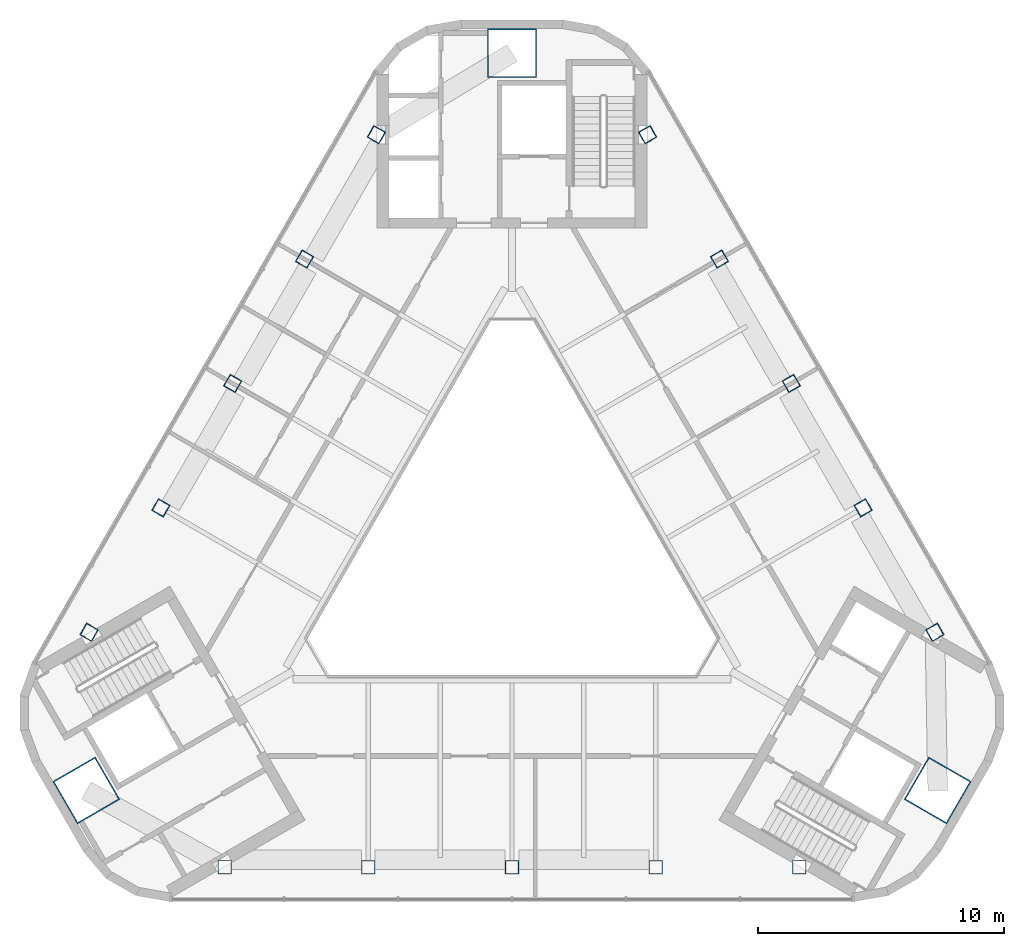
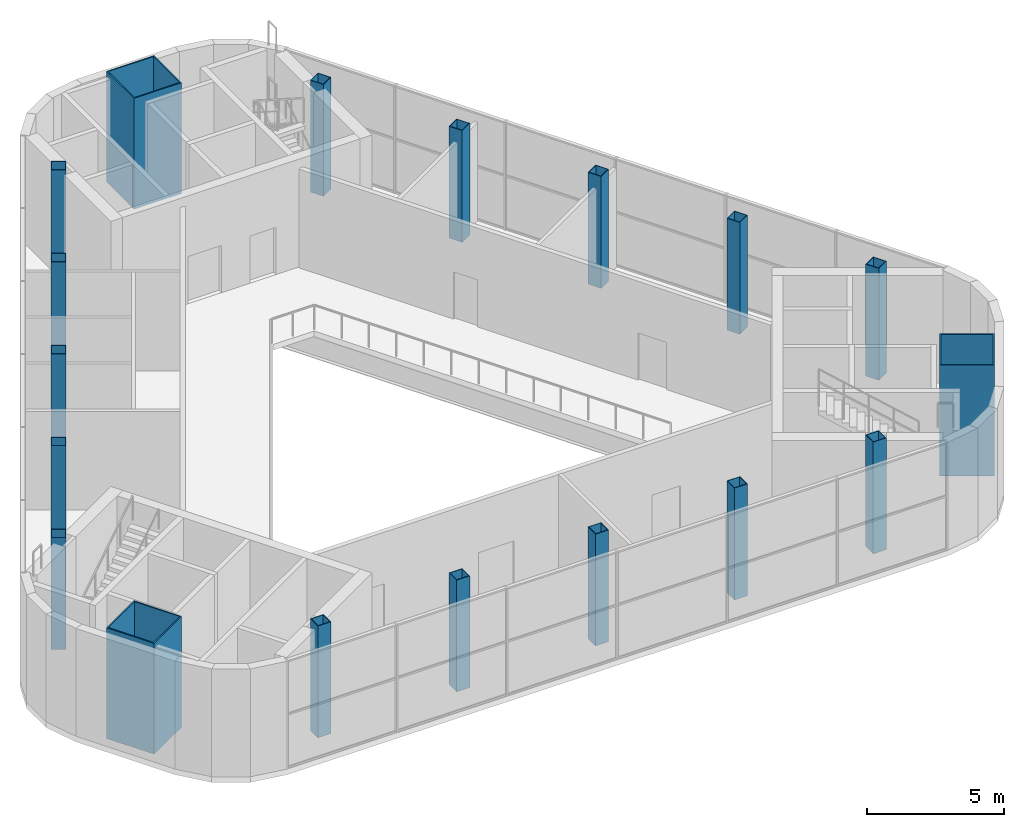
# One storey, part 1 of 11: 18 columns.
"""IFC4 building model written with IfcOpenShell, lengths in metres."""

from ifc_helpers import new_model, si_unit, direction, frame, origin, origin_2d, place, context, subcontext, project, spatial, rectangle, hollow_rectangle, extrude, boolean, halfspace, material, material_profile, profile_set, type_object, element, save


model = new_model("IFC4")

# Units and contexts
model_context = context("Model", 3, precision=1e-05, world=origin(), true_north=direction((0.0, 1.0)))
body_context = subcontext(model_context, "Body", "Model", "MODEL_VIEW")
ifc_project = project(units=[si_unit("LENGTHUNIT", "METRE"), si_unit("AREAUNIT", "SQUARE_METRE"), si_unit("VOLUMEUNIT", "CUBIC_METRE"), si_unit("PLANEANGLEUNIT", "RADIAN"), si_unit("MASSUNIT", "GRAM", prefix="KILO")], contexts=[model_context])

# Site, building, storey
site_placement = place(None, origin())
site = spatial("IfcSite", under=ifc_project, at=site_placement, CompositionType="ELEMENT")
building_placement = place(site_placement, origin())
building = spatial("IfcBuilding", under=site, at=building_placement, Name="Apuvela Tower Hotel", CompositionType="ELEMENT")
storey_placement = place(building_placement, frame((0.0, 0.0, 338.300048828125)))
storey = spatial("IfcBuildingStorey", under=building, at=storey_placement, Name="L84", CompositionType="ELEMENT", Elevation=338.300048828125)

# Columns
ifc_material_1 = material(Name="Steel S460", Category="steel")
ifc_material_profile_1 = material_profile(ifc_material_1, hollow_rectangle(XDim=2.0, YDim=2.0, WallThickness=0.050048828125, at=origin_2d()), Name="BOX 2000x2000x50")
ifc_material_2 = material(Name="Concrete C80/95", Category="concrete")
ifc_material_profile_2 = material_profile(ifc_material_2, rectangle(XDim=1.89990234375, YDim=1.89990234375, at=origin_2d()), Name="Concrete C80/95 infill")
ifc_profile_set_1 = profile_set([ifc_material_profile_1, ifc_material_profile_2], Name="Steel S460")
column_type_1 = type_object("IfcColumnType", Name="STR-MC mega column BOX 2000x2000x50", PredefinedType="COLUMN", material=ifc_profile_set_1)
for number, where, z_axis, x_axis, name in (
    (1, (0.0, 20.00634765625, 0.0), (0.0, 0.0, 1.0), (1.0, 0.0, 0.0), "Mega column MC4 N"),
    (2, (-17.326171875, -10.003173828125, 0.0), (0.0, 0.0, 1.0), (-0.5, 0.866025403784, 0.0), "Mega column MC4 SW"),
    (3, (17.326171875, -10.003173828125, 0.0), (0.0, 0.0, 1.0), (0.5, 0.866025403784, 0.0), "Mega column MC4 SE"),
):
    element("IfcColumn", number, at=place(storey_placement, frame(where, z_axis=z_axis, x_axis=x_axis)), inside=storey, type_object=column_type_1, Name=name, PredefinedType="COLUMN", context=body_context, shape_type="SweptSolid", body=[
        boolean("DIFFERENCE", extrude(hollow_rectangle(XDim=2.0, YDim=2.0, WallThickness=0.050048828125, at=origin_2d()), origin(), (0.0, 0.0, 1.0), 5.0), halfspace(frame((0.0, 0.0, 0.06591796875), z_axis=(0.0, 0.0, 1.0), x_axis=(1.0, 0.0, 0.0)), True)),
    ])
ifc_material_profile_3 = material_profile(ifc_material_1, hollow_rectangle(XDim=0.550048828125, YDim=0.550048828125, WallThickness=0.02490234375, at=origin_2d()), Name="BOX 550x550x25")
ifc_material_profile_4 = material_profile(ifc_material_2, rectangle(XDim=0.5, YDim=0.5, at=origin_2d()), Name="Concrete C80/95 infill")
ifc_profile_set_2 = profile_set([ifc_material_profile_3, ifc_material_profile_4], Name="Steel S460")
column_type_2 = type_object("IfcColumnType", Name="STR-PC perimeter column BOX 550x550x25", PredefinedType="COLUMN", material=ifc_profile_set_2)
column_1_placement = place(storey_placement, frame((-11.69189453125, -13.126220703125, 0.0), z_axis=(0.0, 0.0, 1.0), x_axis=(-1.0, 0.0, 0.0)))
element("IfcColumn", 4, at=column_1_placement, inside=storey, type_object=column_type_2, Name="Perimeter column C7 S1", PredefinedType="COLUMN", context=body_context, shape_type="SweptSolid", body=[
    boolean("DIFFERENCE", extrude(hollow_rectangle(XDim=0.550048828125, YDim=0.550048828125, WallThickness=0.02490234375, at=origin_2d()), origin(), (0.0, 0.0, 1.0), 5.0), halfspace(frame((0.0, 0.0, 0.023681640625), z_axis=(0.0, 0.0, 1.0), x_axis=(1.0, 0.0, 0.0)), True)),
])
column_2_placement = place(storey_placement, frame((-5.845947265625, -13.126220703125, 0.0), z_axis=(0.0, 0.0, 1.0), x_axis=(-1.0, 0.0, 0.0)))
element("IfcColumn", 5, at=column_2_placement, inside=storey, type_object=column_type_2, Name="Perimeter column C7 S2", PredefinedType="COLUMN", context=body_context, shape_type="SweptSolid", body=[
    boolean("DIFFERENCE", extrude(hollow_rectangle(XDim=0.550048828125, YDim=0.550048828125, WallThickness=0.02490234375, at=origin_2d()), origin(), (0.0, 0.0, 1.0), 5.0), halfspace(frame((0.0, 0.0, 0.020263671875), z_axis=(0.0, 0.0, 1.0), x_axis=(1.0, 0.0, 0.0)), True)),
])
column_3_placement = place(storey_placement, frame((0.0, -13.126220703125, 0.0), z_axis=(0.0, 0.0, 1.0), x_axis=(-1.0, 0.0, 0.0)))
element("IfcColumn", 6, at=column_3_placement, inside=storey, type_object=column_type_2, Name="Perimeter column C7 S3", PredefinedType="COLUMN", context=body_context, shape_type="SweptSolid", body=[
    boolean("DIFFERENCE", extrude(hollow_rectangle(XDim=0.550048828125, YDim=0.550048828125, WallThickness=0.02490234375, at=origin_2d()), origin(), (0.0, 0.0, 1.0), 5.0), halfspace(frame((0.0, 0.0, 0.018798828125), z_axis=(0.0, 0.0, 1.0), x_axis=(1.0, 0.0, 0.0)), True)),
])
column_4_placement = place(storey_placement, frame((5.845947265625, -13.126220703125, 0.0), z_axis=(0.0, 0.0, 1.0), x_axis=(-1.0, 0.0, 0.0)))
element("IfcColumn", 7, at=column_4_placement, inside=storey, type_object=column_type_2, Name="Perimeter column C7 S4", PredefinedType="COLUMN", context=body_context, shape_type="SweptSolid", body=[
    boolean("DIFFERENCE", extrude(hollow_rectangle(XDim=0.550048828125, YDim=0.550048828125, WallThickness=0.02490234375, at=origin_2d()), origin(), (0.0, 0.0, 1.0), 5.0), halfspace(frame((0.0, 0.0, 0.020263671875), z_axis=(0.0, 0.0, 1.0), x_axis=(1.0, 0.0, 0.0)), True)),
])
for number, where, z_axis, x_axis, name in (
    (8, (11.69189453125, -13.126220703125, 0.0), (0.0, 0.0, 1.0), (-1.0, 0.0, 0.0), "Perimeter column C7 S5"),
    (9, (17.213623046875, -3.5625, 0.0), (0.0, 0.0, 1.0), (-0.5, 0.866025403784, 0.0), "Perimeter column C7 NE1"),
):
    element("IfcColumn", number, at=place(storey_placement, frame(where, z_axis=z_axis, x_axis=x_axis)), inside=storey, type_object=column_type_2, Name=name, PredefinedType="COLUMN", context=body_context, shape_type="SweptSolid", body=[
        boolean("DIFFERENCE", extrude(hollow_rectangle(XDim=0.550048828125, YDim=0.550048828125, WallThickness=0.02490234375, at=origin_2d()), origin(), (0.0, 0.0, 1.0), 5.0), halfspace(frame((0.0, 0.0, 0.023681640625), z_axis=(0.0, 0.0, 1.0), x_axis=(1.0, 0.0, 0.0)), True)),
    ])
column_5_placement = place(storey_placement, frame((14.29052734375, 1.500244140625, 0.0), z_axis=(0.0, 0.0, 1.0), x_axis=(-0.5, 0.866025403784, 0.0)))
element("IfcColumn", 10, at=column_5_placement, inside=storey, type_object=column_type_2, Name="Perimeter column C7 NE2", PredefinedType="COLUMN", context=body_context, shape_type="SweptSolid", body=[
    boolean("DIFFERENCE", extrude(hollow_rectangle(XDim=0.550048828125, YDim=0.550048828125, WallThickness=0.02490234375, at=origin_2d()), origin(), (0.0, 0.0, 1.0), 5.0), halfspace(frame((0.0, 0.0, 0.020263671875), z_axis=(0.0, 0.0, 1.0), x_axis=(1.0, 0.0, 0.0)), True)),
])
column_6_placement = place(storey_placement, frame((11.36767578125, 6.56298828125, 0.0), z_axis=(0.0, 0.0, 1.0), x_axis=(-0.5, 0.866025403784, 0.0)))
element("IfcColumn", 11, at=column_6_placement, inside=storey, type_object=column_type_2, Name="Perimeter column C7 NE3", PredefinedType="COLUMN", context=body_context, shape_type="SweptSolid", body=[
    boolean("DIFFERENCE", extrude(hollow_rectangle(XDim=0.550048828125, YDim=0.550048828125, WallThickness=0.02490234375, at=origin_2d()), origin(), (0.0, 0.0, 1.0), 5.0), halfspace(frame((0.0, 0.0, 0.018798828125), z_axis=(0.0, 0.0, 1.0), x_axis=(1.0, 0.0, 0.0)), True)),
])
column_7_placement = place(storey_placement, frame((8.444580078125, 11.6259765625, 0.0), z_axis=(0.0, 0.0, 1.0), x_axis=(-0.5, 0.866025403784, 0.0)))
element("IfcColumn", 12, at=column_7_placement, inside=storey, type_object=column_type_2, Name="Perimeter column C7 NE4", PredefinedType="COLUMN", context=body_context, shape_type="SweptSolid", body=[
    boolean("DIFFERENCE", extrude(hollow_rectangle(XDim=0.550048828125, YDim=0.550048828125, WallThickness=0.02490234375, at=origin_2d()), origin(), (0.0, 0.0, 1.0), 5.0), halfspace(frame((0.0, 0.0, 0.020263671875), z_axis=(0.0, 0.0, 1.0), x_axis=(1.0, 0.0, 0.0)), True)),
])
for number, where, z_axis, x_axis, name in (
    (13, (5.521484375, 16.688720703125, 0.0), (0.0, 0.0, 1.0), (-0.5, 0.866025403784, 0.0), "Perimeter column C7 NE5"),
    (14, (-5.521484375, 16.688720703125, 0.0), (0.0, 0.0, 1.0), (0.5, 0.866025403784, 0.0), "Perimeter column C7 NW1"),
):
    element("IfcColumn", number, at=place(storey_placement, frame(where, z_axis=z_axis, x_axis=x_axis)), inside=storey, type_object=column_type_2, Name=name, PredefinedType="COLUMN", context=body_context, shape_type="SweptSolid", body=[
        boolean("DIFFERENCE", extrude(hollow_rectangle(XDim=0.550048828125, YDim=0.550048828125, WallThickness=0.02490234375, at=origin_2d()), origin(), (0.0, 0.0, 1.0), 5.0), halfspace(frame((0.0, 0.0, 0.023681640625), z_axis=(0.0, 0.0, 1.0), x_axis=(1.0, 0.0, 0.0)), True)),
    ])
column_8_placement = place(storey_placement, frame((-8.444580078125, 11.6259765625, 0.0), z_axis=(0.0, 0.0, 1.0), x_axis=(0.5, 0.866025403784, 0.0)))
element("IfcColumn", 15, at=column_8_placement, inside=storey, type_object=column_type_2, Name="Perimeter column C7 NW2", PredefinedType="COLUMN", context=body_context, shape_type="SweptSolid", body=[
    boolean("DIFFERENCE", extrude(hollow_rectangle(XDim=0.550048828125, YDim=0.550048828125, WallThickness=0.02490234375, at=origin_2d()), origin(), (0.0, 0.0, 1.0), 5.0), halfspace(frame((0.0, 0.0, 0.020263671875), z_axis=(0.0, 0.0, 1.0), x_axis=(1.0, 0.0, 0.0)), True)),
])
column_9_placement = place(storey_placement, frame((-11.36767578125, 6.56298828125, 0.0), z_axis=(0.0, 0.0, 1.0), x_axis=(0.5, 0.866025403784, 0.0)))
element("IfcColumn", 16, at=column_9_placement, inside=storey, type_object=column_type_2, Name="Perimeter column C7 NW3", PredefinedType="COLUMN", context=body_context, shape_type="SweptSolid", body=[
    boolean("DIFFERENCE", extrude(hollow_rectangle(XDim=0.550048828125, YDim=0.550048828125, WallThickness=0.02490234375, at=origin_2d()), origin(), (0.0, 0.0, 1.0), 5.0), halfspace(frame((0.0, 0.0, 0.018798828125), z_axis=(0.0, 0.0, 1.0), x_axis=(1.0, 0.0, 0.0)), True)),
])
column_10_placement = place(storey_placement, frame((-14.29052734375, 1.500244140625, 0.0), z_axis=(0.0, 0.0, 1.0), x_axis=(0.5, 0.866025403784, 0.0)))
element("IfcColumn", 17, at=column_10_placement, inside=storey, type_object=column_type_2, Name="Perimeter column C7 NW4", PredefinedType="COLUMN", context=body_context, shape_type="SweptSolid", body=[
    boolean("DIFFERENCE", extrude(hollow_rectangle(XDim=0.550048828125, YDim=0.550048828125, WallThickness=0.02490234375, at=origin_2d()), origin(), (0.0, 0.0, 1.0), 5.0), halfspace(frame((0.0, 0.0, 0.020263671875), z_axis=(0.0, 0.0, 1.0), x_axis=(1.0, 0.0, 0.0)), True)),
])
column_11_placement = place(storey_placement, frame((-17.213623046875, -3.5625, 0.0), z_axis=(0.0, 0.0, 1.0), x_axis=(0.5, 0.866025403784, 0.0)))
element("IfcColumn", 18, at=column_11_placement, inside=storey, type_object=column_type_2, Name="Perimeter column C7 NW5", PredefinedType="COLUMN", context=body_context, shape_type="SweptSolid", body=[
    boolean("DIFFERENCE", extrude(hollow_rectangle(XDim=0.550048828125, YDim=0.550048828125, WallThickness=0.02490234375, at=origin_2d()), origin(), (0.0, 0.0, 1.0), 5.0), halfspace(frame((0.0, 0.0, 0.023681640625), z_axis=(0.0, 0.0, 1.0), x_axis=(1.0, 0.0, 0.0)), True)),
])

save(model, "model.ifc")
